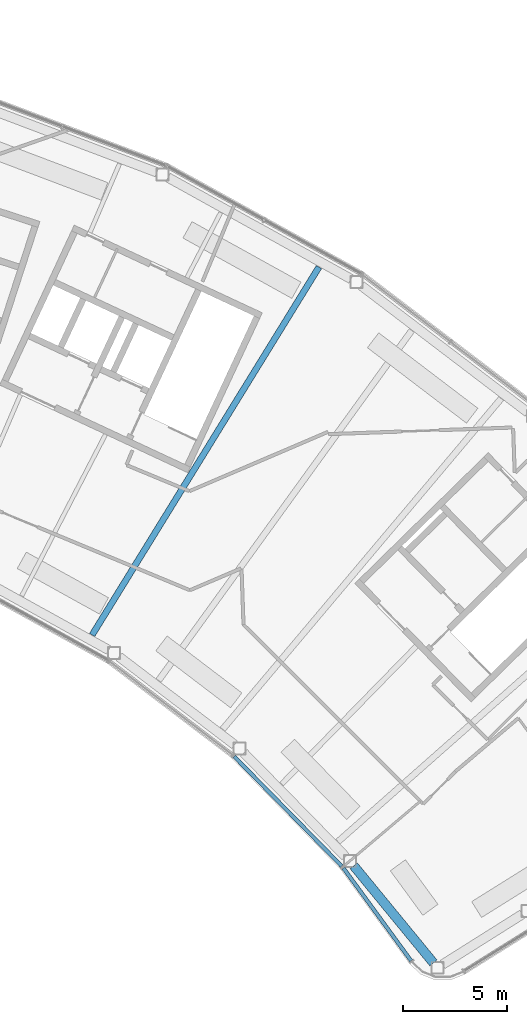
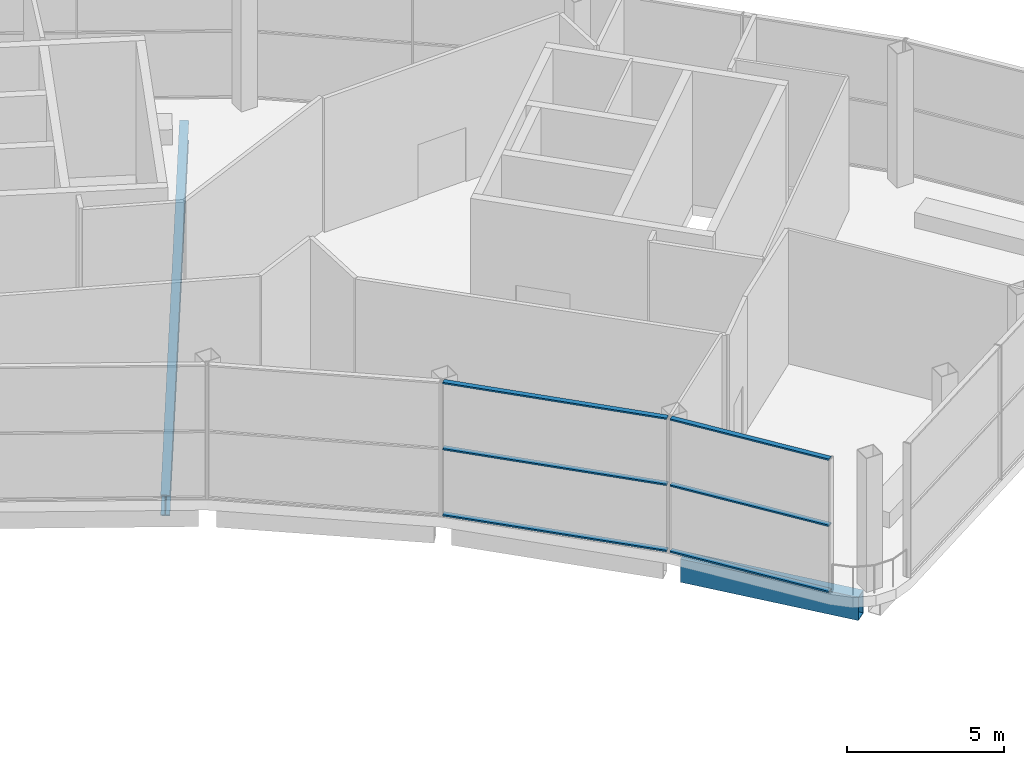
# One storey, part 22 of 44: 6 members, 2 beams, 2 elements without a shape of their own.
"""IFC4 building model written with IfcOpenShell, lengths in metres."""

from ifc_helpers import new_model, si_unit, direction, frame, origin, origin_2d, place, context, subcontext, project, spatial, hollow_rectangle, i_section, extrude, material, layer, layer_set, material_profile, profile_set, type_object, element, aggregate, save


model = new_model("IFC4")

# Units and contexts
model_context = context("Model", 3, precision=1e-05, world=origin(), true_north=direction((0.0, 1.0)))
body_context = subcontext(model_context, "Body", "Model", "MODEL_VIEW")
ifc_project = project(units=[si_unit("LENGTHUNIT", "METRE"), si_unit("AREAUNIT", "SQUARE_METRE"), si_unit("VOLUMEUNIT", "CUBIC_METRE"), si_unit("PLANEANGLEUNIT", "RADIAN"), si_unit("MASSUNIT", "GRAM", prefix="KILO")], contexts=[model_context])

# Site, building, storey
site_placement = place(None, origin())
site = spatial("IfcSite", under=ifc_project, at=site_placement, CompositionType="ELEMENT")
building_placement = place(site_placement, origin())
building = spatial("IfcBuilding", under=site, at=building_placement, Name="Tuul Gate Civic Tower", CompositionType="ELEMENT")
storey_placement = place(building_placement, frame((0.0, 0.0, 354.60009765625)))
storey = spatial("IfcBuildingStorey", under=building, at=storey_placement, Name="Observation level 2", CompositionType="ELEMENT", Elevation=354.60009765625)

# Curtain wall, members
ifc_material_1 = material(Name="Stainless steel", Category="steel")
ifc_layer = layer(ifc_material_1, 0.199951171875)
ifc_layer_set = layer_set([ifc_layer], Name="Stainless steel")
curtain_wall_type = type_object("IfcCurtainWallType", Name="Curtain wall CW4", PredefinedType="NOTDEFINED", material=ifc_layer_set)
curtain_wall_1_placement = place(storey_placement, origin())
curtain_wall_1 = element("IfcCurtainWall", 1, at=curtain_wall_1_placement, inside=storey, type_object=curtain_wall_type, Name="Curtain wall CW4", PredefinedType="NOTDEFINED")
ifc_material_2 = material(Name="Stainless steel", Category="steel")
ifc_material_profile_1 = material_profile(ifc_material_2, hollow_rectangle(XDim=0.179931640625, YDim=0.06005859375, WallThickness=0.006103515625, at=origin_2d()), Name="CW4 transom")
ifc_profile_set_1 = profile_set([ifc_material_profile_1], Name="Stainless steel")
member_type = type_object("IfcMemberType", Name="CW4 transom", PredefinedType="USERDEFINED", material=ifc_profile_set_1)
member_1_placement = place(storey_placement, frame((36.701904296875, -21.056884765625, 0.02978515625), z_axis=(0.700100413437, -0.714044404155, 0.0), x_axis=(0.714044404155, 0.700100413437, 0.0)))
member_1 = element("IfcMember", 2, at=member_1_placement, type_object=member_type, Name="Transom", ObjectType="TRANSOM", PredefinedType="USERDEFINED", context=body_context, shape_type="SweptSolid", body=[
    extrude(hollow_rectangle(XDim=0.179931640625, YDim=0.06005859375, WallThickness=0.006103515625, at=origin_2d()), origin(), (0.0, 0.0, 1.0), 7.40625),
])
member_2_placement = place(storey_placement, frame((36.701904296875, -21.056884765625, 2.599853515625), z_axis=(0.700100413437, -0.714044404155, 0.0), x_axis=(0.714044404155, 0.700100413437, 0.0)))
member_2 = element("IfcMember", 3, at=member_2_placement, type_object=member_type, Name="Transom", ObjectType="TRANSOM", PredefinedType="USERDEFINED", context=body_context, shape_type="SweptSolid", body=[
    extrude(hollow_rectangle(XDim=0.179931640625, YDim=0.06005859375, WallThickness=0.006103515625, at=origin_2d()), origin(), (0.0, 0.0, 1.0), 7.40625),
])
member_3_placement = place(storey_placement, frame((36.701904296875, -21.056884765625, 5.169921875), z_axis=(0.700100413437, -0.714044404155, 0.0), x_axis=(0.714044404155, 0.700100413437, 0.0)))
member_3 = element("IfcMember", 4, at=member_3_placement, type_object=member_type, Name="Transom", ObjectType="TRANSOM", PredefinedType="USERDEFINED", context=body_context, shape_type="SweptSolid", body=[
    extrude(hollow_rectangle(XDim=0.179931640625, YDim=0.06005859375, WallThickness=0.006103515625, at=origin_2d()), origin(), (0.0, 0.0, 1.0), 7.40625),
])
aggregate(curtain_wall_1, [member_1, member_2, member_3])

curtain_wall_2_placement = place(storey_placement, origin())
curtain_wall_2 = element("IfcCurtainWall", 5, at=curtain_wall_2_placement, inside=storey, type_object=curtain_wall_type, Name="Curtain wall CW4", PredefinedType="NOTDEFINED")
member_4_placement = place(storey_placement, frame((41.96435546875, -26.4365234375, 0.02978515625), z_axis=(0.589738969, -0.807593925462, 0.0), x_axis=(0.807593925462, 0.589738969, 0.0)))
member_4 = element("IfcMember", 6, at=member_4_placement, type_object=member_type, Name="Transom", ObjectType="TRANSOM", PredefinedType="USERDEFINED", context=body_context, shape_type="SweptSolid", body=[
    extrude(hollow_rectangle(XDim=0.179931640625, YDim=0.06005859375, WallThickness=0.006103515625, at=origin_2d()), origin(), (0.0, 0.0, 1.0), 5.534912109375),
])
member_5_placement = place(storey_placement, frame((41.96435546875, -26.4365234375, 2.599853515625), z_axis=(0.589738969, -0.807593925462, 0.0), x_axis=(0.807593925462, 0.589738969, 0.0)))
member_5 = element("IfcMember", 7, at=member_5_placement, type_object=member_type, Name="Transom", ObjectType="TRANSOM", PredefinedType="USERDEFINED", context=body_context, shape_type="SweptSolid", body=[
    extrude(hollow_rectangle(XDim=0.179931640625, YDim=0.06005859375, WallThickness=0.006103515625, at=origin_2d()), origin(), (0.0, 0.0, 1.0), 5.534912109375),
])
member_6_placement = place(storey_placement, frame((41.96435546875, -26.4365234375, 5.169921875), z_axis=(0.589738969, -0.807593925462, 0.0), x_axis=(0.807593925462, 0.589738969, 0.0)))
member_6 = element("IfcMember", 8, at=member_6_placement, type_object=member_type, Name="Transom", ObjectType="TRANSOM", PredefinedType="USERDEFINED", context=body_context, shape_type="SweptSolid", body=[
    extrude(hollow_rectangle(XDim=0.179931640625, YDim=0.06005859375, WallThickness=0.006103515625, at=origin_2d()), origin(), (0.0, 0.0, 1.0), 5.534912109375),
])
aggregate(curtain_wall_2, [member_4, member_5, member_6])

# Beams
ifc_material_3 = material(Name="Steel S355", Category="steel")
ifc_material_profile_2 = material_profile(ifc_material_3, i_section(OverallWidth=0.300048828125, OverallDepth=0.800048828125, WebThickness=0.013916015625, FlangeThickness=0.02490234375, at=origin_2d()), Name="PG800x300x14x25")
ifc_profile_set_2 = profile_set([ifc_material_profile_2], Name="Steel S355")
beam_type_1 = type_object("IfcBeamType", Name="STR-FLOOR BEAM-PG800x300x14x25", PredefinedType="BEAM", material=ifc_profile_set_2)
beam_1_placement = place(storey_placement, frame((29.858154296875, -15.2021484375, -0.800048828125), z_axis=(0.524846935925, 0.85119662467, 0.0), x_axis=(-0.85119662467, 0.524846935925, 0.0)))
element("IfcBeam", 9, at=beam_1_placement, inside=storey, type_object=beam_type_1, Name="Floor beam", PredefinedType="BEAM", context=body_context, shape_type="SweptSolid", body=[
    extrude(i_section(OverallWidth=0.300048828125, OverallDepth=0.800048828125, WebThickness=0.013916015625, FlangeThickness=0.02490234375, at=origin_2d()), origin(), (0.0, 0.0, 1.0), 20.82177734375),
])
ifc_material_4 = material(Name="Steel S355", Category="steel")
ifc_material_profile_3 = material_profile(ifc_material_4, hollow_rectangle(XDim=0.449951171875, YDim=0.89990234375, WallThickness=0.02490234375, at=origin_2d()), Name="BOX900x450x25")
ifc_profile_set_3 = profile_set([ifc_material_profile_3], Name="Steel S355")
beam_type_2 = type_object("IfcBeamType", Name="STR-SPANDREL BEAM-BOX900x450x25", PredefinedType="BEAM", material=ifc_profile_set_3)
beam_2_placement = place(storey_placement, frame((42.46337890625, -26.328857421875, -0.85009765625), z_axis=(0.63439697252, -0.773007426392, 0.0), x_axis=(0.773007426392, 0.63439697252, 0.0)))
element("IfcBeam", 10, at=beam_2_placement, inside=storey, type_object=beam_type_2, Name="Spandrel beam", PredefinedType="BEAM", context=body_context, shape_type="SweptSolid", body=[
    extrude(hollow_rectangle(XDim=0.449951171875, YDim=0.89990234375, WallThickness=0.02490234375, at=origin_2d()), origin(), (0.0, 0.0, 1.0), 6.052001953125),
])

save(model, "model.ifc")
